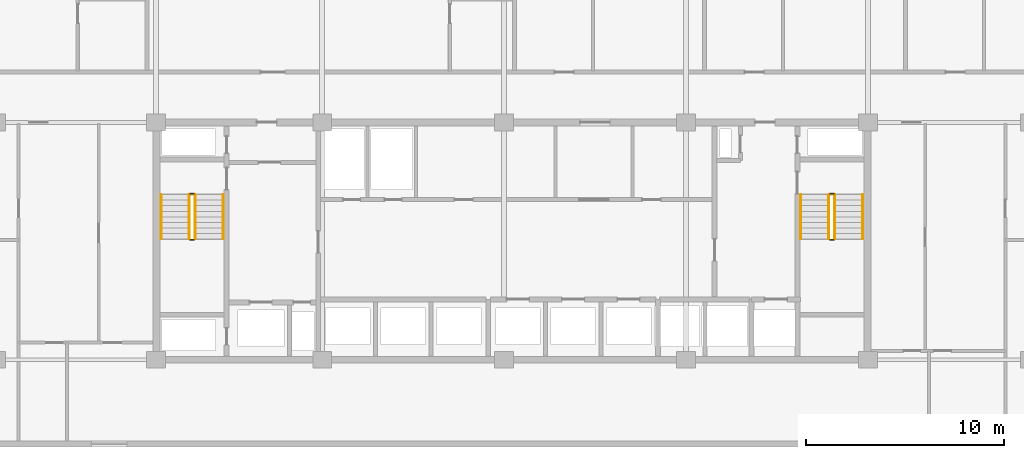
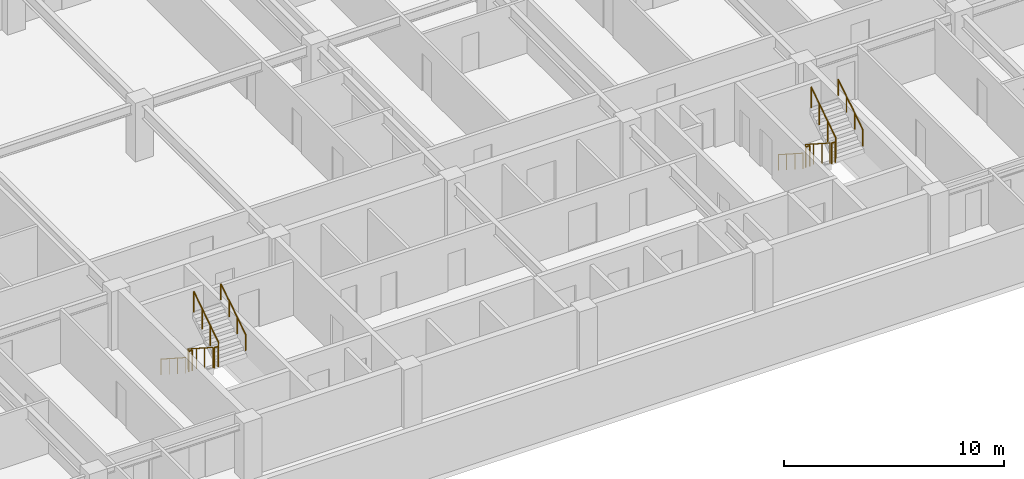
# One storey, part 20 of 21: 12 railings.
"""IFC4 building model written with IfcOpenShell, lengths in metres."""

from ifc_helpers import new_model, si_unit, direction, frame, origin, origin_2d, place, context, subcontext, project, spatial, circle, extrude, material, type_object, element, save


model = new_model("IFC4")

# Units and contexts
model_context = context("Model", 3, precision=1e-05, world=origin(), true_north=direction((0.0, 1.0)))
body_context = subcontext(model_context, "Body", "Model", "MODEL_VIEW")
ifc_project = project(units=[si_unit("LENGTHUNIT", "METRE"), si_unit("AREAUNIT", "SQUARE_METRE"), si_unit("VOLUMEUNIT", "CUBIC_METRE"), si_unit("PLANEANGLEUNIT", "RADIAN"), si_unit("MASSUNIT", "GRAM", prefix="KILO")], contexts=[model_context])

# Site, building, storey
site_placement = place(None, origin())
site = spatial("IfcSite", under=ifc_project, at=site_placement, CompositionType="ELEMENT")
building_placement = place(site_placement, origin())
building = spatial("IfcBuilding", under=site, at=building_placement, Name="Korimba Cascade Residences", CompositionType="ELEMENT")
storey_placement = place(building_placement, frame((0.0, 0.0, 97.050048828125)))
storey = spatial("IfcBuildingStorey", under=building, at=storey_placement, Name="L27", CompositionType="ELEMENT", Elevation=97.050048828125)

# Railings
ifc_material_1 = material(Name="Painted Steel Stairwell Guardrail", Category="steel")
railing_type_1 = type_object("IfcRailingType", Name="RLG-ST-GD1150", PredefinedType="GUARDRAIL", material=ifc_material_1)
railing_1_placement = place(storey_placement, frame((77.77001953125, 63.550048828125, 0.180419921875)))
element("IfcRailing", 1, at=railing_1_placement, inside=storey, type_object=railing_type_1, Name="L27 ST-W1 stair guard 1", PredefinedType="GUARDRAIL", context=body_context, shape_type="SweptSolid", body=[
    extrude(circle(Radius=0.02392578125, at=origin_2d()), frame((0.0, 0.0, 1.1259765625), z_axis=(0.0, -0.840394893359, 0.541974559565), x_axis=(1.0, 0.0, 0.0)), (0.0, 0.0, 1.0), 2.665283203125),
    extrude(circle(Radius=0.02099609375, at=origin_2d()), origin(), (0.0, 0.0, 1.0), 1.101806640625),
    extrude(circle(Radius=0.02099609375, at=origin_2d()), frame((0.0, -0.74658203125, 0.4814453125)), (0.0, 0.0, 1.0), 1.101806640625),
    extrude(circle(Radius=0.02099609375, at=origin_2d()), frame((0.0, -1.493408203125, 0.963134765625)), (0.0, 0.0, 1.0), 1.101806640625),
    extrude(circle(Radius=0.02099609375, at=origin_2d()), frame((0.0, -2.239990234375, 1.444580078125)), (0.0, 0.0, 1.0), 1.101806640625),
])
railing_2_placement = place(storey_placement, frame((77.820068359375, 61.260009765625, 1.625)))
element("IfcRailing", 2, at=railing_2_placement, inside=storey, type_object=railing_type_1, Name="L27 ST-W1 stair guard 2", PredefinedType="GUARDRAIL", context=body_context, shape_type="SweptSolid", body=[
    extrude(circle(Radius=0.02392578125, at=origin_2d()), frame((0.0, 0.0, 1.1259765625), z_axis=(1.0, 0.0, 0.0), x_axis=(0.0, 1.0, 0.0)), (0.0, 0.0, 1.0), 0.199951171875),
    extrude(circle(Radius=0.02099609375, at=origin_2d()), origin(), (0.0, 0.0, 1.0), 1.101806640625),
    extrude(circle(Radius=0.02099609375, at=origin_2d()), frame((0.199951171875, 0.0, 0.0)), (0.0, 0.0, 1.0), 1.101806640625),
])
railing_3_placement = place(storey_placement, frame((78.070068359375, 61.31005859375, 1.805419921875)))
element("IfcRailing", 3, at=railing_3_placement, inside=storey, type_object=railing_type_1, Name="L27 ST-W1 stair guard 3", PredefinedType="GUARDRAIL", context=body_context, shape_type="SweptSolid", body=[
    extrude(circle(Radius=0.02392578125, at=origin_2d()), frame((0.0, 0.0, 1.1259765625), z_axis=(0.0, 0.840394893359, 0.541974559565), x_axis=(-1.0, 0.0, 0.0)), (0.0, 0.0, 1.0), 2.665283203125),
    extrude(circle(Radius=0.02099609375, at=origin_2d()), origin(), (0.0, 0.0, 1.0), 1.101806640625),
    extrude(circle(Radius=0.02099609375, at=origin_2d()), frame((0.0, 0.74658203125, 0.4814453125)), (0.0, 0.0, 1.0), 1.101806640625),
    extrude(circle(Radius=0.02099609375, at=origin_2d()), frame((0.0, 1.493408203125, 0.963134765625)), (0.0, 0.0, 1.0), 1.101806640625),
    extrude(circle(Radius=0.02099609375, at=origin_2d()), frame((0.0, 2.239990234375, 1.444580078125)), (0.0, 0.0, 1.0), 1.101806640625),
])
railing_4_placement = place(storey_placement, frame((77.820068359375, 63.60009765625, 0.0)))
element("IfcRailing", 4, at=railing_4_placement, inside=storey, type_object=railing_type_1, Name="L27 ST-W1 stair guard 4", PredefinedType="GUARDRAIL", context=body_context, shape_type="SweptSolid", body=[
    extrude(circle(Radius=0.02392578125, at=origin_2d()), frame((0.0, 0.0, 1.1259765625), z_axis=(1.0, 0.0, 0.0), x_axis=(0.0, 1.0, 0.0)), (0.0, 0.0, 1.0), 0.199951171875),
    extrude(circle(Radius=0.02099609375, at=origin_2d()), origin(), (0.0, 0.0, 1.0), 1.101806640625),
    extrude(circle(Radius=0.02099609375, at=origin_2d()), frame((0.199951171875, 0.0, 0.0)), (0.0, 0.0, 1.0), 1.101806640625),
])
railing_5_placement = place(storey_placement, frame((110.1298828125, 63.550048828125, 0.180419921875)))
element("IfcRailing", 5, at=railing_5_placement, inside=storey, type_object=railing_type_1, Name="L27 ST-W2 stair guard 1", PredefinedType="GUARDRAIL", context=body_context, shape_type="SweptSolid", body=[
    extrude(circle(Radius=0.02392578125, at=origin_2d()), frame((0.0, 0.0, 1.1259765625), z_axis=(0.0, -0.840394893359, 0.541974559565), x_axis=(1.0, 0.0, 0.0)), (0.0, 0.0, 1.0), 2.665283203125),
    extrude(circle(Radius=0.02099609375, at=origin_2d()), origin(), (0.0, 0.0, 1.0), 1.101806640625),
    extrude(circle(Radius=0.02099609375, at=origin_2d()), frame((0.0, -0.74658203125, 0.4814453125)), (0.0, 0.0, 1.0), 1.101806640625),
    extrude(circle(Radius=0.02099609375, at=origin_2d()), frame((0.0, -1.493408203125, 0.963134765625)), (0.0, 0.0, 1.0), 1.101806640625),
    extrude(circle(Radius=0.02099609375, at=origin_2d()), frame((0.0, -2.239990234375, 1.444580078125)), (0.0, 0.0, 1.0), 1.101806640625),
])
railing_6_placement = place(storey_placement, frame((110.179931640625, 61.260009765625, 1.625)))
element("IfcRailing", 6, at=railing_6_placement, inside=storey, type_object=railing_type_1, Name="L27 ST-W2 stair guard 2", PredefinedType="GUARDRAIL", context=body_context, shape_type="SweptSolid", body=[
    extrude(circle(Radius=0.02392578125, at=origin_2d()), frame((0.0, 0.0, 1.1259765625), z_axis=(1.0, 0.0, 0.0), x_axis=(0.0, 1.0, 0.0)), (0.0, 0.0, 1.0), 0.199951171875),
    extrude(circle(Radius=0.02099609375, at=origin_2d()), origin(), (0.0, 0.0, 1.0), 1.101806640625),
    extrude(circle(Radius=0.02099609375, at=origin_2d()), frame((0.199951171875, 0.0, 0.0)), (0.0, 0.0, 1.0), 1.101806640625),
])
railing_7_placement = place(storey_placement, frame((110.429931640625, 61.31005859375, 1.805419921875)))
element("IfcRailing", 7, at=railing_7_placement, inside=storey, type_object=railing_type_1, Name="L27 ST-W2 stair guard 3", PredefinedType="GUARDRAIL", context=body_context, shape_type="SweptSolid", body=[
    extrude(circle(Radius=0.02392578125, at=origin_2d()), frame((0.0, 0.0, 1.1259765625), z_axis=(0.0, 0.840394893359, 0.541974559565), x_axis=(-1.0, 0.0, 0.0)), (0.0, 0.0, 1.0), 2.665283203125),
    extrude(circle(Radius=0.02099609375, at=origin_2d()), origin(), (0.0, 0.0, 1.0), 1.101806640625),
    extrude(circle(Radius=0.02099609375, at=origin_2d()), frame((0.0, 0.74658203125, 0.4814453125)), (0.0, 0.0, 1.0), 1.101806640625),
    extrude(circle(Radius=0.02099609375, at=origin_2d()), frame((0.0, 1.493408203125, 0.963134765625)), (0.0, 0.0, 1.0), 1.101806640625),
    extrude(circle(Radius=0.02099609375, at=origin_2d()), frame((0.0, 2.239990234375, 1.444580078125)), (0.0, 0.0, 1.0), 1.101806640625),
])
railing_8_placement = place(storey_placement, frame((110.179931640625, 63.60009765625, 0.0)))
element("IfcRailing", 8, at=railing_8_placement, inside=storey, type_object=railing_type_1, Name="L27 ST-W2 stair guard 4", PredefinedType="GUARDRAIL", context=body_context, shape_type="SweptSolid", body=[
    extrude(circle(Radius=0.02392578125, at=origin_2d()), frame((0.0, 0.0, 1.1259765625), z_axis=(1.0, 0.0, 0.0), x_axis=(0.0, 1.0, 0.0)), (0.0, 0.0, 1.0), 0.199951171875),
    extrude(circle(Radius=0.02099609375, at=origin_2d()), origin(), (0.0, 0.0, 1.0), 1.101806640625),
    extrude(circle(Radius=0.02099609375, at=origin_2d()), frame((0.199951171875, 0.0, 0.0)), (0.0, 0.0, 1.0), 1.101806640625),
])
ifc_material_2 = material(Name="Brushed Stainless Steel Handrail", Category="steel")
railing_type_2 = type_object("IfcRailingType", Name="RLG-ST-HR900", PredefinedType="HANDRAIL", material=ifc_material_2)
railing_9_placement = place(storey_placement, frame((76.35009765625, 63.550048828125, 0.364990234375)))
element("IfcRailing", 9, at=railing_9_placement, inside=storey, type_object=railing_type_2, Name="L27 ST-W1 stair handrail 1", PredefinedType="HANDRAIL", context=body_context, shape_type="SweptSolid", body=[
    extrude(circle(Radius=0.02392578125, at=origin_2d()), frame((0.0, 0.0, 0.8759765625), z_axis=(0.0, -0.840436612492, 0.541909863706), x_axis=(1.0, 0.0, 0.0)), (0.0, 0.0, 1.0), 2.665283203125),
    extrude(circle(Radius=0.02099609375, at=origin_2d()), origin(), (0.0, 0.0, 1.0), 0.851806640625),
    extrude(circle(Radius=0.02099609375, at=origin_2d()), frame((0.0, -0.74658203125, 0.4814453125)), (0.0, 0.0, 1.0), 0.851806640625),
    extrude(circle(Radius=0.02099609375, at=origin_2d()), frame((0.0, -1.493408203125, 0.962890625)), (0.0, 0.0, 1.0), 0.851806640625),
    extrude(circle(Radius=0.02099609375, at=origin_2d()), frame((0.0, -2.239990234375, 1.4443359375)), (0.0, 0.0, 1.0), 0.851806640625),
])
railing_10_placement = place(storey_placement, frame((79.489990234375, 61.31005859375, 1.989990234375)))
element("IfcRailing", 10, at=railing_10_placement, inside=storey, type_object=railing_type_2, Name="L27 ST-W1 stair handrail 2", PredefinedType="HANDRAIL", context=body_context, shape_type="SweptSolid", body=[
    extrude(circle(Radius=0.02392578125, at=origin_2d()), frame((0.0, 0.0, 0.8759765625), z_axis=(0.0, 0.840436612492, 0.541909863706), x_axis=(-1.0, 0.0, 0.0)), (0.0, 0.0, 1.0), 2.665283203125),
    extrude(circle(Radius=0.02099609375, at=origin_2d()), origin(), (0.0, 0.0, 1.0), 0.851806640625),
    extrude(circle(Radius=0.02099609375, at=origin_2d()), frame((0.0, 0.74658203125, 0.4814453125)), (0.0, 0.0, 1.0), 0.851806640625),
    extrude(circle(Radius=0.02099609375, at=origin_2d()), frame((0.0, 1.493408203125, 0.962890625)), (0.0, 0.0, 1.0), 0.851806640625),
    extrude(circle(Radius=0.02099609375, at=origin_2d()), frame((0.0, 2.239990234375, 1.4443359375)), (0.0, 0.0, 1.0), 0.851806640625),
])
railing_11_placement = place(storey_placement, frame((108.7099609375, 63.550048828125, 0.364990234375)))
element("IfcRailing", 11, at=railing_11_placement, inside=storey, type_object=railing_type_2, Name="L27 ST-W2 stair handrail 1", PredefinedType="HANDRAIL", context=body_context, shape_type="SweptSolid", body=[
    extrude(circle(Radius=0.02392578125, at=origin_2d()), frame((0.0, 0.0, 0.8759765625), z_axis=(0.0, -0.840436612492, 0.541909863706), x_axis=(1.0, 0.0, 0.0)), (0.0, 0.0, 1.0), 2.665283203125),
    extrude(circle(Radius=0.02099609375, at=origin_2d()), origin(), (0.0, 0.0, 1.0), 0.851806640625),
    extrude(circle(Radius=0.02099609375, at=origin_2d()), frame((0.0, -0.74658203125, 0.4814453125)), (0.0, 0.0, 1.0), 0.851806640625),
    extrude(circle(Radius=0.02099609375, at=origin_2d()), frame((0.0, -1.493408203125, 0.962890625)), (0.0, 0.0, 1.0), 0.851806640625),
    extrude(circle(Radius=0.02099609375, at=origin_2d()), frame((0.0, -2.239990234375, 1.4443359375)), (0.0, 0.0, 1.0), 0.851806640625),
])
railing_12_placement = place(storey_placement, frame((111.85009765625, 61.31005859375, 1.989990234375)))
element("IfcRailing", 12, at=railing_12_placement, inside=storey, type_object=railing_type_2, Name="L27 ST-W2 stair handrail 2", PredefinedType="HANDRAIL", context=body_context, shape_type="SweptSolid", body=[
    extrude(circle(Radius=0.02392578125, at=origin_2d()), frame((0.0, 0.0, 0.8759765625), z_axis=(0.0, 0.840436612492, 0.541909863706), x_axis=(-1.0, 0.0, 0.0)), (0.0, 0.0, 1.0), 2.665283203125),
    extrude(circle(Radius=0.02099609375, at=origin_2d()), origin(), (0.0, 0.0, 1.0), 0.851806640625),
    extrude(circle(Radius=0.02099609375, at=origin_2d()), frame((0.0, 0.74658203125, 0.4814453125)), (0.0, 0.0, 1.0), 0.851806640625),
    extrude(circle(Radius=0.02099609375, at=origin_2d()), frame((0.0, 1.493408203125, 0.962890625)), (0.0, 0.0, 1.0), 0.851806640625),
    extrude(circle(Radius=0.02099609375, at=origin_2d()), frame((0.0, 2.239990234375, 1.4443359375)), (0.0, 0.0, 1.0), 0.851806640625),
])

save(model, "model.ifc")
